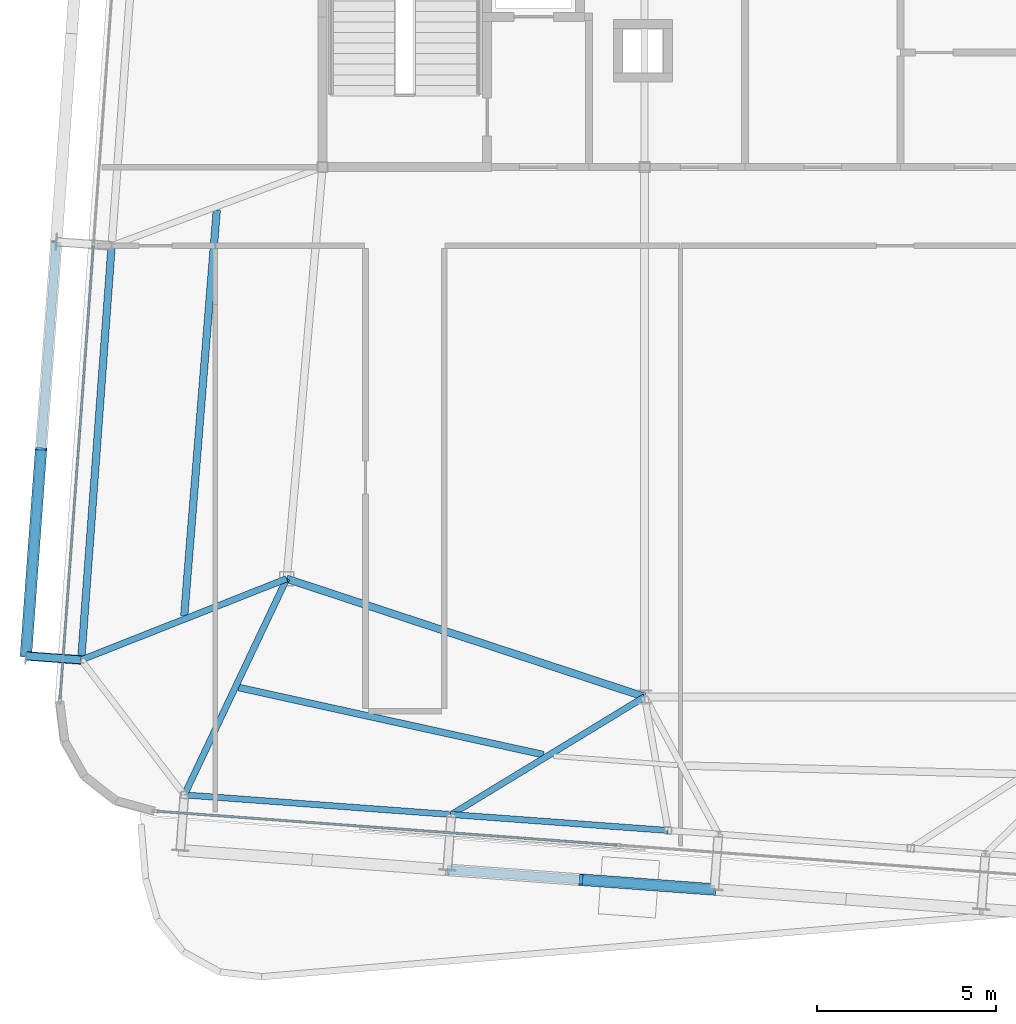
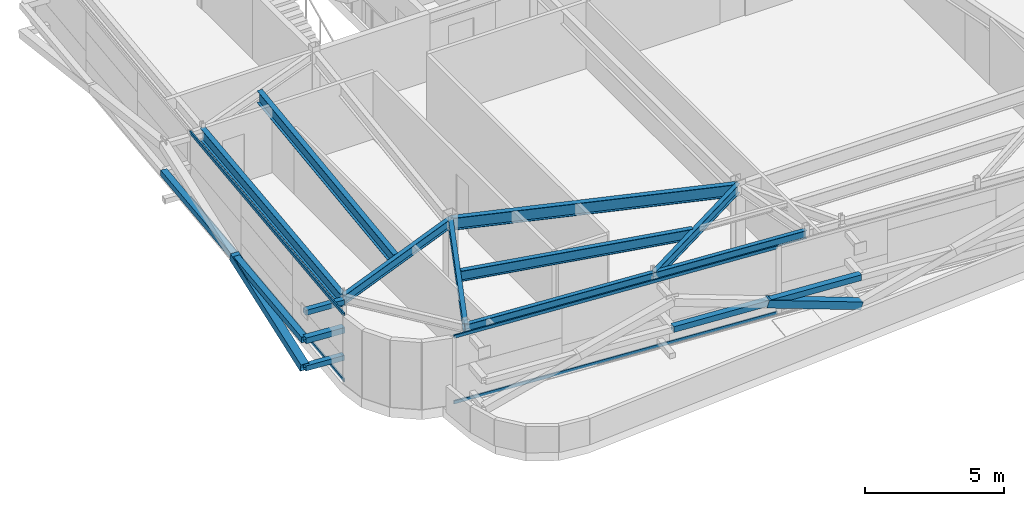
# One storey, part 10 of 37: 11 members, 9 beams, 2 elements without a shape of their own.
"""IFC4 building model written with IfcOpenShell, lengths in metres."""

from ifc_helpers import new_model, si_unit, direction, frame, origin, origin_2d, place, context, subcontext, project, spatial, hollow_rectangle, i_section, extrude, source, transform, mapped, material, layer, layer_set, material_profile, profile_set, type_object, element, aggregate, save


model = new_model("IFC4")

# Units and contexts
model_context = context("Model", 3, precision=1e-05, world=origin(), true_north=direction((0.0, 1.0)))
body_context = subcontext(model_context, "Body", "Model", "MODEL_VIEW")
ifc_project = project(units=[si_unit("LENGTHUNIT", "METRE"), si_unit("AREAUNIT", "SQUARE_METRE"), si_unit("VOLUMEUNIT", "CUBIC_METRE"), si_unit("PLANEANGLEUNIT", "RADIAN"), si_unit("MASSUNIT", "GRAM", prefix="KILO")], contexts=[model_context])

# Site, building, storey
site_placement = place(None, origin())
site = spatial("IfcSite", under=ifc_project, at=site_placement, CompositionType="ELEMENT")
building_placement = place(site_placement, origin())
building = spatial("IfcBuilding", under=site, at=building_placement, Name="Taldren Reach Tower", CompositionType="ELEMENT")
storey_placement = place(building_placement, frame((0.0, 0.0, 211.39990234375)))
storey = spatial("IfcBuildingStorey", under=building, at=storey_placement, Name="L64", CompositionType="ELEMENT", Elevation=211.39990234375)

# Beams
ifc_material_1 = material(Name="Steel Gr 350 (350PLUS)", Category="steel")
ifc_material_profile_1 = material_profile(ifc_material_1, i_section(OverallWidth=0.208984375, OverallDepth=0.532958984375, WebThickness=0.01025390625, FlangeThickness=0.015625, at=origin_2d()), Name="530UB92.4")
ifc_profile_set_1 = profile_set([ifc_material_profile_1], Name="Steel Gr 350 (350PLUS)")
beam_type_1 = type_object("IfcBeamType", Name="BM-UB530A", PredefinedType="BEAM", material=ifc_profile_set_1)
shared_shape_1 = source(origin(), body_context, "Body", "SweptSolid", [
    extrude(i_section(OverallWidth=0.208984375, OverallDepth=0.532958984375, WebThickness=0.01025390625, FlangeThickness=0.015625, at=origin_2d()), origin(), (0.0, 0.0, 1.0), 10.530517578125),
])
beam_1_placement = place(storey_placement, frame((18.0, 12.5, 2.66357421875), z_axis=(0.949627269203, -0.313381635689, 0.0), x_axis=(0.313381635689, 0.949627269203, 0.0)))
element("IfcBeam", 1, at=beam_1_placement, inside=storey, type_object=beam_type_1, Name="Core-spine girder L64-SP10", PredefinedType="BEAM", context=body_context, shape_type="MappedRepresentation", body=[
    mapped(shared_shape_1, transform((0.0, 0.0, 0.0), scale=1.0)),
])
ifc_material_profile_2 = material_profile(ifc_material_1, i_section(OverallWidth=0.172119140625, OverallDepth=0.35888671875, WebThickness=0.008056640625, FlangeThickness=0.012939453125, at=origin_2d()), Name="360UB56.7")
ifc_profile_set_2 = profile_set([ifc_material_profile_2], Name="Steel Gr 350 (350PLUS)")
beam_type_2 = type_object("IfcBeamType", Name="SP-UB360", PredefinedType="SPANDREL", material=ifc_profile_set_2)
shared_shape_2 = source(origin(), body_context, "Body", "SweptSolid", [
    extrude(i_section(OverallWidth=0.172119140625, OverallDepth=0.35888671875, WebThickness=0.008056640625, FlangeThickness=0.012939453125, at=origin_2d()), origin(), (0.0, 0.0, 1.0), 7.47998046875),
])
beam_2_placement = place(storey_placement, frame((15.140625, 6.460205078125, 2.75048828125), z_axis=(0.997314220642, -0.07324169103, 0.0), x_axis=(0.07324169103, 0.997314220642, 0.0)))
element("IfcBeam", 2, at=beam_2_placement, inside=storey, type_object=beam_type_2, Name="Perimeter spandrel B5 S1-S2 L64", PredefinedType="SPANDREL", context=body_context, shape_type="MappedRepresentation", body=[
    mapped(shared_shape_2, transform((0.0, 0.0, 0.0), scale=1.0)),
])
shared_shape_3 = source(origin(), body_context, "Body", "SweptSolid", [
    extrude(i_section(OverallWidth=0.172119140625, OverallDepth=0.35888671875, WebThickness=0.008056640625, FlangeThickness=0.012939453125, at=origin_2d()), origin(), (0.0, 0.0, 1.0), 6.070068359375),
])
beam_3_placement = place(storey_placement, frame((22.6005859375, 5.912353515625, 2.75048828125), z_axis=(0.997314196413, -0.073242020958, 0.0), x_axis=(0.073242020958, 0.997314196413, 0.0)))
element("IfcBeam", 3, at=beam_3_placement, inside=storey, type_object=beam_type_2, Name="Perimeter spandrel B5 S2-PJ1 L64", PredefinedType="SPANDREL", context=body_context, shape_type="MappedRepresentation", body=[
    mapped(shared_shape_3, transform((0.0, 0.0, 0.0), scale=1.0)),
])
ifc_material_profile_3 = material_profile(ifc_material_1, i_section(OverallWidth=0.208984375, OverallDepth=0.528076171875, WebThickness=0.009521484375, FlangeThickness=0.01318359375, at=origin_2d()), Name="530UB82.0")
ifc_profile_set_3 = profile_set([ifc_material_profile_3], Name="Steel Gr 350 (350PLUS)")
beam_type_3 = type_object("IfcBeamType", Name="SP-UB530B", PredefinedType="SPANDREL", material=ifc_profile_set_3)
shared_shape_4 = source(origin(), body_context, "Body", "SweptSolid", [
    extrude(i_section(OverallWidth=0.208984375, OverallDepth=0.528076171875, WebThickness=0.009521484375, FlangeThickness=0.01318359375, at=origin_2d()), origin(), (0.0, 0.0, 1.0), 11.60009765625),
])
beam_4_placement = place(storey_placement, frame((13.108642578125, 21.80029296875, 2.666015625), z_axis=(-0.073242167855, -0.997314185625, 0.0), x_axis=(0.997314185625, -0.073242167855, 0.0)))
element("IfcBeam", 4, at=beam_4_placement, inside=storey, type_object=beam_type_3, Name="Perimeter spandrel B5 W2-W1 L64", PredefinedType="SPANDREL", context=body_context, shape_type="MappedRepresentation", body=[
    mapped(shared_shape_4, transform((0.0, 0.0, 0.0), scale=1.0)),
])
ifc_material_profile_4 = material_profile(ifc_material_1, i_section(OverallWidth=0.177978515625, OverallDepth=0.406005859375, WebThickness=0.0078125, FlangeThickness=0.0126953125, at=origin_2d()), Name="410UB59.7")
ifc_profile_set_4 = profile_set([ifc_material_profile_4], Name="Steel Gr 350 (350PLUS)")
beam_type_4 = type_object("IfcBeamType", Name="BM-UB410", PredefinedType="BEAM", material=ifc_profile_set_4)
shared_shape_5 = source(origin(), body_context, "Body", "SweptSolid", [
    extrude(i_section(OverallWidth=0.177978515625, OverallDepth=0.406005859375, WebThickness=0.0078125, FlangeThickness=0.0126953125, at=origin_2d()), origin(), (0.0, 0.0, 1.0), 6.682373046875),
])
beam_5_placement = place(storey_placement, frame((18.0, 12.5, 2.72705078125), z_axis=(-0.427893164494, -0.903829320049, 0.0), x_axis=(0.903829320049, -0.427893164494, 0.0)))
element("IfcBeam", 5, at=beam_5_placement, inside=storey, type_object=beam_type_4, Name="Primary floor girder B5-S1 L64", PredefinedType="BEAM", context=body_context, shape_type="MappedRepresentation", body=[
    mapped(shared_shape_5, transform((0.0, 0.0, 0.0), scale=1.0)),
])
shared_shape_6 = source(origin(), body_context, "Body", "SweptSolid", [
    extrude(i_section(OverallWidth=0.177978515625, OverallDepth=0.406005859375, WebThickness=0.0078125, FlangeThickness=0.0126953125, at=origin_2d()), origin(), (0.0, 0.0, 1.0), 6.321533203125),
])
beam_6_placement = place(storey_placement, frame((28.0, 9.199951171875, 2.72705078125), z_axis=(-0.854128445192, -0.520062110823, 0.0), x_axis=(0.520062110823, -0.854128445192, 0.0)))
element("IfcBeam", 6, at=beam_6_placement, inside=storey, type_object=beam_type_4, Name="Primary floor girder B5-S2 L64", PredefinedType="BEAM", context=body_context, shape_type="MappedRepresentation", body=[
    mapped(shared_shape_6, transform((0.0, 0.0, 0.0), scale=1.0)),
])
shared_shape_7 = source(origin(), body_context, "Body", "SweptSolid", [
    extrude(i_section(OverallWidth=0.177978515625, OverallDepth=0.406005859375, WebThickness=0.0078125, FlangeThickness=0.0126953125, at=origin_2d()), origin(), (0.0, 0.0, 1.0), 6.1728515625),
])
beam_7_placement = place(storey_placement, frame((18.0, 12.5, 2.72705078125), z_axis=(-0.930023287794, -0.367500590695, 0.0), x_axis=(0.367500590695, -0.930023287794, 0.0)))
element("IfcBeam", 7, at=beam_7_placement, inside=storey, type_object=beam_type_4, Name="Primary floor girder B5-W1 L64", PredefinedType="BEAM", context=body_context, shape_type="MappedRepresentation", body=[
    mapped(shared_shape_7, transform((0.0, 0.0, 0.0), scale=1.0)),
])
ifc_material_profile_5 = material_profile(ifc_material_1, i_section(OverallWidth=0.19091796875, OverallDepth=0.4599609375, WebThickness=0.010009765625, FlangeThickness=0.01611328125, at=origin_2d()), Name="460UB82.1")
ifc_profile_set_5 = profile_set([ifc_material_profile_5], Name="Steel Gr 350 (350PLUS)")
beam_type_5 = type_object("IfcBeamType", Name="BM-UB460A", PredefinedType="BEAM", material=ifc_profile_set_5)
shared_shape_8 = source(origin(), body_context, "Body", "SweptSolid", [
    extrude(i_section(OverallWidth=0.19091796875, OverallDepth=0.4599609375, WebThickness=0.010009765625, FlangeThickness=0.01611328125, at=origin_2d()), origin(), (0.0, 0.0, 1.0), 8.719482421875),
])
beam_8_placement = place(storey_placement, frame((16.659423828125, 9.46044921875, 2.7001953125), z_axis=(0.976568964704, -0.2152046867, 0.0), x_axis=(0.2152046867, 0.976568964704, 0.0)))
element("IfcBeam", 8, at=beam_8_placement, inside=storey, type_object=beam_type_5, Name="Secondary floor beam B5 J1 L64", PredefinedType="BEAM", context=body_context, shape_type="MappedRepresentation", body=[
    mapped(shared_shape_8, transform((0.0, 0.0, 0.0), scale=1.0)),
])
shared_shape_9 = source(origin(), body_context, "Body", "SweptSolid", [
    extrude(i_section(OverallWidth=0.208984375, OverallDepth=0.532958984375, WebThickness=0.01025390625, FlangeThickness=0.015625, at=origin_2d()), origin(), (0.0, 0.0, 1.0), 11.3740234375),
])
beam_9_placement = place(storey_placement, frame((15.137451171875, 11.464599609375, 2.66357421875), z_axis=(0.079913287803, 0.996801819036, 0.0), x_axis=(-0.996801819036, 0.079913287803, 0.0)))
element("IfcBeam", 9, at=beam_9_placement, inside=storey, type_object=beam_type_1, Name="Secondary floor beam B5 J6 L64", PredefinedType="BEAM", context=body_context, shape_type="MappedRepresentation", body=[
    mapped(shared_shape_9, transform((0.0, 0.0, 0.0), scale=1.0)),
])

# Members
ifc_material_2 = material(Name="Steel Gr 450 (C450L0)", Category="steel")
ifc_material_profile_6 = material_profile(ifc_material_2, hollow_rectangle(XDim=0.219970703125, YDim=0.219970703125, WallThickness=0.00830078125, at=origin_2d()), Name="220x220x8.2SHS")
ifc_profile_set_6 = profile_set([ifc_material_profile_6], Name="Steel Gr 450 (C450L0)")
member_type_1 = type_object("IfcMemberType", Name="MB-TIE219", PredefinedType="STRUT", material=ifc_profile_set_6)
shared_shape_10 = source(origin(), body_context, "Body", "SweptSolid", [
    extrude(hollow_rectangle(XDim=0.219970703125, YDim=0.219970703125, WallThickness=0.00830078125, at=origin_2d()), origin(), (0.0, 0.0, 1.0), 1.5458984375),
])
for number, where, z_axis, x_axis, name in (
    (10, (12.255126953125, 10.231689453125, 2.650146484375), (-0.997311530447, 0.073278313559, 0.0), (-0.073278313559, -0.997311530447, 0.0), "Exoskeleton diaphragm tie strut B5-W1 L64"),
    (11, (12.255126953125, 10.231689453125, 0.22021484375), (-0.997311530447, 0.073278313559, 0.0), (-0.073278313559, -0.997311530447, 0.0), "Exoskeleton base diaphragm tie strut B5-W1 L64"),
):
    element("IfcMember", number, at=place(storey_placement, frame(where, z_axis=z_axis, x_axis=x_axis)), inside=storey, type_object=member_type_1, Name=name, PredefinedType="STRUT", context=body_context, shape_type="MappedRepresentation", body=[
        mapped(shared_shape_10, transform((0.0, 0.0, 0.0), scale=1.0)),
    ])
ifc_material_profile_7 = material_profile(ifc_material_2, hollow_rectangle(XDim=0.324951171875, YDim=0.324951171875, WallThickness=0.0126953125, at=origin_2d()), Name="325x325x12.7SHS")
ifc_profile_set_7 = profile_set([ifc_material_profile_7], Name="Steel Gr 450 (C450L0)")
member_type_2 = type_object("IfcMemberType", Name="MB-BR324", PredefinedType="BRACE", material=ifc_profile_set_7)
shared_shape_11 = source(origin(), body_context, "Body", "SweptSolid", [
    extrude(hollow_rectangle(XDim=0.324951171875, YDim=0.324951171875, WallThickness=0.0126953125, at=origin_2d()), origin(), (0.0, 0.0, 1.0), 3.932373046875),
])
member_1_placement = place(storey_placement, frame((29.947021484375, 3.81884765625, 0.22021484375), z_axis=(-0.948529326954, 0.06965898055, 0.308933232813), x_axis=(-0.07324169103, -0.997314220642, 0.0)))
element("IfcMember", 12, at=member_1_placement, inside=storey, type_object=member_type_2, Name="Exoskeleton Diagrid Brace B5-S2 L64", PredefinedType="BRACE", context=body_context, shape_type="MappedRepresentation", body=[
    mapped(shared_shape_11, transform((0.0, 0.0, 0.0), scale=1.0)),
])
ifc_material_3 = material(Name="Steel Gr 350 (C350L0)", Category="steel")
ifc_material_profile_8 = material_profile(ifc_material_3, hollow_rectangle(XDim=0.25, YDim=0.25, WallThickness=0.010009765625, at=origin_2d()), Name="250x250x10.0SHS")
ifc_profile_set_8 = profile_set([ifc_material_profile_8], Name="Steel Gr 350 (C350L0)")
member_type_3 = type_object("IfcMemberType", Name="MB-POST250", PredefinedType="POST", material=ifc_profile_set_8)
shared_shape_12 = source(origin(), body_context, "Body", "SweptSolid", [
    extrude(hollow_rectangle(XDim=0.25, YDim=0.25, WallThickness=0.010009765625, at=origin_2d()), origin(), (0.0, 0.0, 1.0), 7.47998046875),
])
member_2_placement = place(storey_placement, frame((22.487060546875, 4.36669921875, 1.43505859375), z_axis=(0.997314220642, -0.07324169103, 0.0), x_axis=(0.07324169103, 0.997314220642, 0.0)))
element("IfcMember", 13, at=member_2_placement, inside=storey, type_object=member_type_3, Name="Exoskeleton mid-height ring chord B5-S2 L64", PredefinedType="POST", context=body_context, shape_type="MappedRepresentation", body=[
    mapped(shared_shape_12, transform((0.0, 0.0, 0.0), scale=1.0)),
])
shared_shape_13 = source(origin(), body_context, "Body", "SweptSolid", [
    extrude(hollow_rectangle(XDim=0.324951171875, YDim=0.324951171875, WallThickness=0.0126953125, at=origin_2d()), origin(), (0.0, 0.0, 1.0), 5.92578125),
])
member_3_placement = place(storey_placement, frame((10.71337890625, 10.344970703125, 0.22021484375), z_axis=(0.071645553297, 0.976134614303, 0.205007632667), x_axis=(-0.997317259472, 0.073200300267, 0.0)))
element("IfcMember", 14, at=member_3_placement, inside=storey, type_object=member_type_2, Name="Exoskeleton Diagrid Brace B5-W1 L64", PredefinedType="BRACE", context=body_context, shape_type="MappedRepresentation", body=[
    mapped(shared_shape_13, transform((0.0, 0.0, 0.0), scale=1.0)),
])
shared_shape_14 = source(origin(), body_context, "Body", "SweptSolid", [
    extrude(hollow_rectangle(XDim=0.25, YDim=0.25, WallThickness=0.010009765625, at=origin_2d()), origin(), (0.0, 0.0, 1.0), 11.60009765625),
])
member_4_placement = place(storey_placement, frame((10.71337890625, 10.344970703125, 1.43505859375), z_axis=(0.073221234109, 0.997315722766, 0.0), x_axis=(-0.997315722766, 0.073221234109, 0.0)))
element("IfcMember", 15, at=member_4_placement, inside=storey, type_object=member_type_3, Name="Exoskeleton mid-height ring chord B5-W1 L64", PredefinedType="POST", context=body_context, shape_type="MappedRepresentation", body=[
    mapped(shared_shape_14, transform((0.0, 0.0, 0.0), scale=1.0)),
])
shared_shape_15 = source(origin(), body_context, "Body", "SweptSolid", [
    extrude(hollow_rectangle(XDim=0.25, YDim=0.25, WallThickness=0.010009765625, at=origin_2d()), origin(), (0.0, 0.0, 1.0), 1.5458984375),
])
member_5_placement = place(storey_placement, frame((12.255126953125, 10.231689453125, 1.43505859375), z_axis=(-0.997311530447, 0.073278313559, 0.0), x_axis=(-0.073278313559, -0.997311530447, 0.0)))
element("IfcMember", 16, at=member_5_placement, inside=storey, type_object=member_type_3, Name="Exoskeleton mid-tier diaphragm tie B5-W1 L64", PredefinedType="POST", context=body_context, shape_type="MappedRepresentation", body=[
    mapped(shared_shape_15, transform((0.0, 0.0, 0.0), scale=1.0)),
])

# Curtain wall, members
ifc_material_4 = material(Name="Aluminium and Low-E Glass Unitised System", Category="aluminium")
ifc_layer = layer(ifc_material_4, 0.159912109375)
ifc_layer_set = layer_set([ifc_layer], Name="Aluminium and Low-E Glass Unitised System")
curtain_wall_type = type_object("IfcCurtainWallType", Name="CW-SYS-6", PredefinedType="NOTDEFINED", material=ifc_layer_set)
curtain_wall_1_placement = place(storey_placement, origin())
curtain_wall_1 = element("IfcCurtainWall", 17, at=curtain_wall_1_placement, inside=storey, type_object=curtain_wall_type, Name="Unitised curtain wall CW-L64-S", PredefinedType="NOTDEFINED")
ifc_material_5 = material(Name="Anodised Aluminium 6063-T6", Category="aluminium")
ifc_material_profile_9 = material_profile(ifc_material_5, hollow_rectangle(XDim=0.06005859375, YDim=0.135009765625, WallThickness=0.00341796875, at=origin_2d()), Name="ALU-135x60x3.5RHS")
ifc_profile_set_9 = profile_set([ifc_material_profile_9], Name="Anodised Aluminium 6063-T6")
member_type_4 = type_object("IfcMemberType", Name="CW-TRN-150", PredefinedType="USERDEFINED", material=ifc_profile_set_9)
shared_shape_16 = source(origin(), body_context, "Body", "SweptSolid", [
    extrude(hollow_rectangle(XDim=0.06005859375, YDim=0.135009765625, WallThickness=0.00341796875, at=origin_2d()), origin(), (0.0, 0.0, 1.0), 12.887451171875),
])
member_6_placement = place(storey_placement, frame((14.38037109375, 6.004638671875, 0.030029296875), z_axis=(0.997314487101, -0.07323806263, 0.0), x_axis=(0.07323806263, 0.997314487101, 0.0)))
member_6 = element("IfcMember", 18, at=member_6_placement, type_object=member_type_4, Name="CW-6 transom 1.1", ObjectType="TRANSOM", PredefinedType="USERDEFINED", context=body_context, shape_type="MappedRepresentation", body=[
    mapped(shared_shape_16, transform((0.0, 0.0, 0.0), scale=1.0)),
])
member_7_placement = place(storey_placement, frame((14.38037109375, 6.004638671875, 2.900146484375), z_axis=(0.997314487101, -0.07323806263, 0.0), x_axis=(0.07323806263, 0.997314487101, 0.0)))
member_7 = element("IfcMember", 19, at=member_7_placement, type_object=member_type_4, Name="CW-6 transom 1.2", ObjectType="TRANSOM", PredefinedType="USERDEFINED", context=body_context, shape_type="MappedRepresentation", body=[
    mapped(shared_shape_16, transform((0.0, 0.0, 0.0), scale=1.0)),
])
aggregate(curtain_wall_1, [member_6, member_7])

curtain_wall_2_placement = place(storey_placement, origin())
curtain_wall_2 = element("IfcCurtainWall", 20, at=curtain_wall_2_placement, inside=storey, type_object=curtain_wall_type, Name="Unitised curtain wall CW-L64-W", PredefinedType="NOTDEFINED")
shared_shape_17 = source(origin(), body_context, "Body", "SweptSolid", [
    extrude(hollow_rectangle(XDim=0.06005859375, YDim=0.135009765625, WallThickness=0.00341796875, at=origin_2d()), origin(), (0.0, 0.0, 1.0), 12.687744140625),
])
member_8_placement = place(storey_placement, frame((12.597412109375, 21.80029296875, 0.030029296875), z_axis=(-0.073236592425, -0.997314595065, 0.0), x_axis=(0.997314595065, -0.073236592425, 0.0)))
member_8 = element("IfcMember", 21, at=member_8_placement, type_object=member_type_4, Name="CW-6 transom 2.1", ObjectType="TRANSOM", PredefinedType="USERDEFINED", context=body_context, shape_type="MappedRepresentation", body=[
    mapped(shared_shape_17, transform((0.0, 0.0, 0.0), scale=1.0)),
])
member_9_placement = place(storey_placement, frame((12.597412109375, 21.80029296875, 2.900146484375), z_axis=(-0.073236592425, -0.997314595065, 0.0), x_axis=(0.997314595065, -0.073236592425, 0.0)))
member_9 = element("IfcMember", 22, at=member_9_placement, type_object=member_type_4, Name="CW-6 transom 2.2", ObjectType="TRANSOM", PredefinedType="USERDEFINED", context=body_context, shape_type="MappedRepresentation", body=[
    mapped(shared_shape_17, transform((0.0, 0.0, 0.0), scale=1.0)),
])
aggregate(curtain_wall_2, [member_8, member_9])

save(model, "model.ifc")
